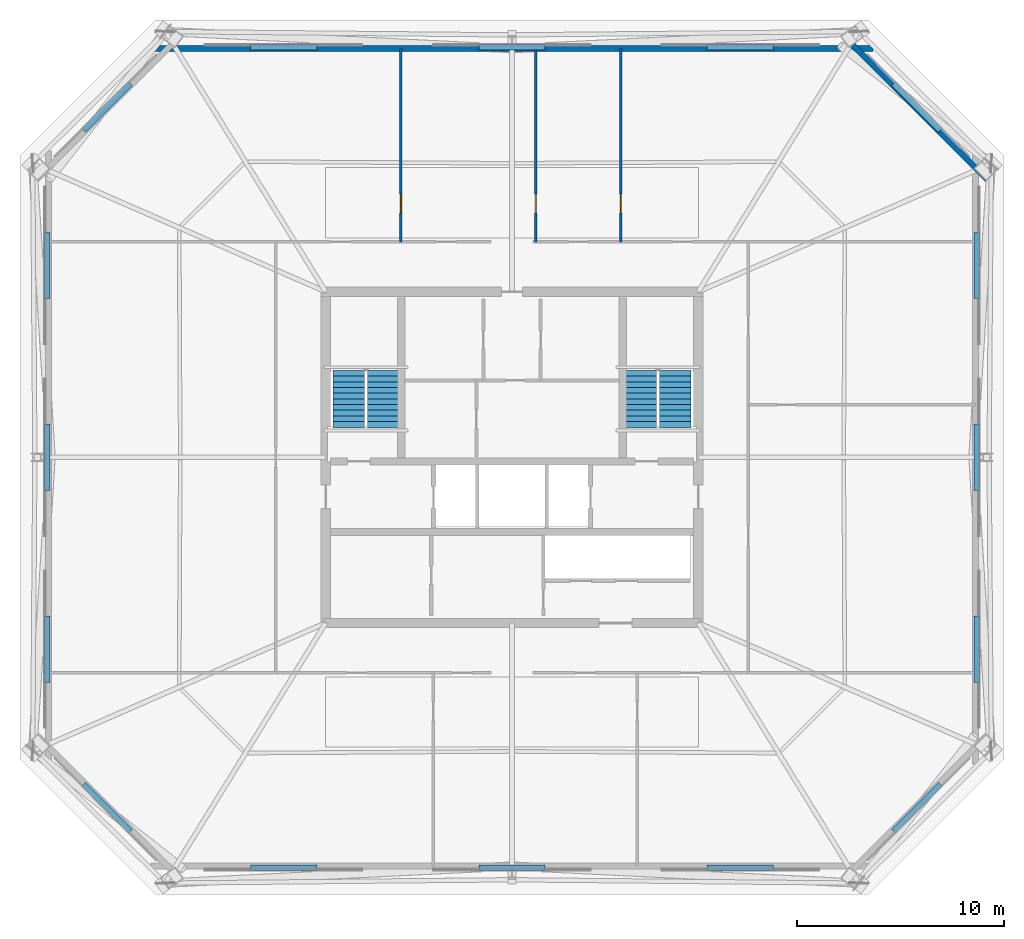
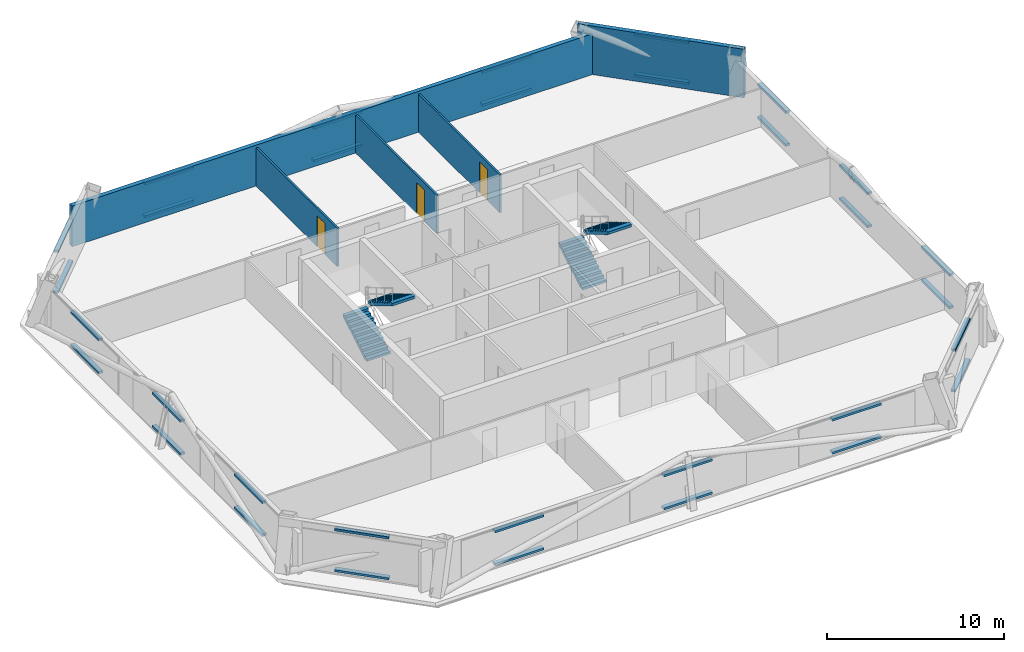
# One storey, part 4 of 6: 32 discrete accessories, 5 walls, 4 stair flights, 3 doors, 3 openings, 2 elements without a shape of their own.
"""IFC4 building model written with IfcOpenShell, lengths in metres."""

from ifc_helpers import new_model, si_unit, direction, frame, frame_2d, origin, origin_2d, place, context, subcontext, project, spatial, polyline, rectangle, outline, extrude, material, layer, layer_set, type_object, element, fill, aggregate, save


model = new_model("IFC4")

# Units and contexts
model_context = context("Model", 3, precision=1e-05, world=origin(), true_north=direction((0.0, 1.0)))
body_context = subcontext(model_context, "Body", "Model", "MODEL_VIEW")
ifc_project = project(units=[si_unit("LENGTHUNIT", "METRE"), si_unit("AREAUNIT", "SQUARE_METRE"), si_unit("VOLUMEUNIT", "CUBIC_METRE"), si_unit("PLANEANGLEUNIT", "RADIAN"), si_unit("MASSUNIT", "GRAM", prefix="KILO")], contexts=[model_context])

# Site, building, storey
site_placement = place(None, origin())
site = spatial("IfcSite", under=ifc_project, at=site_placement, CompositionType="ELEMENT")
building_placement = place(site_placement, origin())
building = spatial("IfcBuilding", under=site, at=building_placement, Name="Caelvoria Tower", CompositionType="ELEMENT")
storey_placement = place(building_placement, frame((0.0, 0.0, 184.199951171875)))
storey = spatial("IfcBuildingStorey", under=building, at=storey_placement, Name="L48", CompositionType="ELEMENT", Elevation=184.199951171875)

# Walls
ifc_material_1 = material(Name="Precast Concrete C40/50 with Bronze Cladding", Category="concrete")
ifc_layer_1 = layer(ifc_material_1, 0.280029296875, Name="Precast Concrete C40/50 with Bronze Cladding")
ifc_layer_set_1 = layer_set([ifc_layer_1], Name="Exterior Precast Concrete C40/50 Bronze-Clad Facade Wall 280 - Precast Concrete C40/50 with Bronze Cladding")
wall_type_1 = type_object("IfcWallType", Name="Exterior Precast Concrete C40/50 Bronze-Clad Facade Wall 280", PredefinedType="STANDARD", material=ifc_layer_set_1)
wall_1_placement = place(storey_placement, frame((68.953857421875, 45.41455078125, 0.0), z_axis=(0.0, 0.0, 1.0), x_axis=(-0.707106781187, 0.707106781187, 0.0)))
element("IfcWall", 1, at=wall_1_placement, inside=storey, type_object=wall_type_1, Name="Exterior Facade Wall L48-E3", PredefinedType="STANDARD", context=body_context, shape_type="SweptSolid", body=[
    extrude(rectangle(XDim=9.75732421875, YDim=0.280029296875, at=frame_2d((4.878662109375, 0.0))), origin(), (0.0, 0.0, 1.0), 3.360107421875),
])
wall_2_placement = place(storey_placement, frame((63.43994140625, 51.739990234375, 0.0), z_axis=(0.0, 0.0, 1.0), x_axis=(-1.0, 0.0, 0.0)))
element("IfcWall", 2, at=wall_2_placement, inside=storey, type_object=wall_type_1, Name="Exterior Facade Wall L48-E4", PredefinedType="STANDARD", context=body_context, shape_type="SweptSolid", body=[
    extrude(rectangle(XDim=34.8798828125, YDim=0.280029296875, at=frame_2d((17.43994140625, 0.0))), origin(), (0.0, 0.0, 1.0), 2.817138671875),
])

# Wall, opening, door
ifc_material_2 = material(Name="Acoustic Gypsum Board on Light-Gauge Stud", Category="gypsum")
ifc_layer_2 = layer(ifc_material_2, 0.1201171875, Name="Acoustic Gypsum Board on Light-Gauge Stud")
ifc_layer_set_2 = layer_set([ifc_layer_2], Name="Tenant Suite Acoustic Partition Wall 120 - Acoustic Gypsum Board on Light-Gauge Stud")
wall_type_2 = type_object("IfcWallType", Name="Tenant Suite Acoustic Partition Wall 120", PredefinedType="PARTITIONING", material=ifc_layer_set_2)
wall_3_placement = place(storey_placement, frame((40.638916015625, 42.409912109375, 0.0), z_axis=(0.0, 0.0, 1.0), x_axis=(0.0, 1.0, 0.0)))
wall_3 = element("IfcWall", 3, at=wall_3_placement, inside=storey, type_object=wall_type_2, Name="Interior Partition IW-L48-ND-00-0", PredefinedType="PARTITIONING", context=body_context, shape_type="SweptSolid", body=[
    extrude(rectangle(XDim=9.330078125, YDim=0.1201171875, at=frame_2d((4.6650390625, 0.0))), origin(), (0.0, 0.0, 1.0), 2.64013671875),
])
opening_1_placement = place(wall_3_placement, frame((1.39990234375, 0.0, 0.0)))
opening_1 = element("IfcOpeningElement", 4, at=opening_1_placement, cuts=wall_3, Name="Opening ID-06", PredefinedType="OPENING", context=body_context, shape_type="SweptSolid", body=[
    extrude(rectangle(XDim=0.89990234375, YDim=2.14990234375, at=frame_2d((0.449951171875, 1.074951171875))), frame((0.0, 0.070068359375, 0.0), z_axis=(0.0, -1.0, 0.0), x_axis=(1.0, 0.0, 0.0)), (0.0, 0.0, 1.0), 0.14013671875),
])
ifc_material_3 = material(Name="Engineered Andean Oak Veneer Door", Category="wood")
door_type = type_object("IfcDoorType", Name="Interior Timber Door 900x2150", OperationType="NOTDEFINED", PredefinedType="DOOR", material=ifc_material_3)
door_1_placement = place(opening_1_placement, origin())
door_1 = element("IfcDoor", 5, at=door_1_placement, inside=storey, type_object=door_type, Name="Interior Door DR-L48-NM-00-0", OperationType="SINGLE_SWING_RIGHT", OverallHeight=2.14990234375, OverallWidth=0.89990234375, PredefinedType="DOOR", context=body_context, shape_type="SweptSolid", body=[
    extrude(rectangle(XDim=0.89990234375, YDim=2.14990234375, at=frame_2d((0.449951171875, 1.074951171875))), frame((0.0, 0.02490234375, 0.0), z_axis=(0.0, -1.0, 0.0), x_axis=(1.0, 0.0, 0.0)), (0.0, 0.0, 1.0), 0.050048828125),
])
fill(opening_1, door_1)

wall_4_placement = place(storey_placement, frame((47.147705078125, 42.409912109375, 0.0), z_axis=(0.0, 0.0, 1.0), x_axis=(0.0, 1.0, 0.0)))
wall_4 = element("IfcWall", 6, at=wall_4_placement, inside=storey, type_object=wall_type_2, Name="Interior Partition IW-L48-ND-01-0", PredefinedType="PARTITIONING", context=body_context, shape_type="SweptSolid", body=[
    extrude(rectangle(XDim=9.330078125, YDim=0.1201171875, at=frame_2d((4.6650390625, 0.0))), origin(), (0.0, 0.0, 1.0), 2.64013671875),
])
opening_2_placement = place(wall_4_placement, frame((1.39990234375, 0.0, 0.0)))
opening_2 = element("IfcOpeningElement", 7, at=opening_2_placement, cuts=wall_4, Name="Opening ID-06", PredefinedType="OPENING", context=body_context, shape_type="SweptSolid", body=[
    extrude(rectangle(XDim=0.89990234375, YDim=2.14990234375, at=frame_2d((0.449951171875, 1.074951171875))), frame((0.0, 0.070068359375, 0.0), z_axis=(0.0, -1.0, 0.0), x_axis=(1.0, 0.0, 0.0)), (0.0, 0.0, 1.0), 0.14013671875),
])
door_2_placement = place(opening_2_placement, origin())
door_2 = element("IfcDoor", 8, at=door_2_placement, inside=storey, type_object=door_type, Name="Interior Door DR-L48-NM-01-0", OperationType="SINGLE_SWING_LEFT", OverallHeight=2.14990234375, OverallWidth=0.89990234375, PredefinedType="DOOR", context=body_context, shape_type="SweptSolid", body=[
    extrude(rectangle(XDim=0.89990234375, YDim=2.14990234375, at=frame_2d((0.449951171875, 1.074951171875))), frame((0.0, 0.02490234375, 0.0), z_axis=(0.0, -1.0, 0.0), x_axis=(1.0, 0.0, 0.0)), (0.0, 0.0, 1.0), 0.050048828125),
])
fill(opening_2, door_2)

wall_5_placement = place(storey_placement, frame((51.2607421875, 42.409912109375, 0.0), z_axis=(0.0, 0.0, 1.0), x_axis=(0.0, 1.0, 0.0)))
wall_5 = element("IfcWall", 9, at=wall_5_placement, inside=storey, type_object=wall_type_2, Name="Interior Partition IW-L48-ND-02-0", PredefinedType="PARTITIONING", context=body_context, shape_type="SweptSolid", body=[
    extrude(rectangle(XDim=9.330078125, YDim=0.1201171875, at=frame_2d((4.6650390625, 0.0))), origin(), (0.0, 0.0, 1.0), 2.64013671875),
])
opening_3_placement = place(wall_5_placement, frame((1.39990234375, 0.0, 0.0)))
opening_3 = element("IfcOpeningElement", 10, at=opening_3_placement, cuts=wall_5, Name="Opening ID-06", PredefinedType="OPENING", context=body_context, shape_type="SweptSolid", body=[
    extrude(rectangle(XDim=0.89990234375, YDim=2.14990234375, at=frame_2d((0.449951171875, 1.074951171875))), frame((0.0, 0.070068359375, 0.0), z_axis=(0.0, -1.0, 0.0), x_axis=(1.0, 0.0, 0.0)), (0.0, 0.0, 1.0), 0.14013671875),
])
door_3_placement = place(opening_3_placement, origin())
door_3 = element("IfcDoor", 11, at=door_3_placement, inside=storey, type_object=door_type, Name="Interior Door DR-L48-NM-02-0", OperationType="SINGLE_SWING_RIGHT", OverallHeight=2.14990234375, OverallWidth=0.89990234375, PredefinedType="DOOR", context=body_context, shape_type="SweptSolid", body=[
    extrude(rectangle(XDim=0.89990234375, YDim=2.14990234375, at=frame_2d((0.449951171875, 1.074951171875))), frame((0.0, 0.02490234375, 0.0), z_axis=(0.0, -1.0, 0.0), x_axis=(1.0, 0.0, 0.0)), (0.0, 0.0, 1.0), 0.050048828125),
])
fill(opening_3, door_3)

# Stair, stair flights
ifc_material_4 = material(Name="Concrete C40/50", Category="concrete")
stair_type = type_object("IfcStairType", Name="Core Smokeproof Dogleg Stair Concrete C40/50", PredefinedType="HALF_TURN_STAIR", material=ifc_material_4)
stair_1_placement = place(storey_placement, origin())
stair_1 = element("IfcStair", 12, at=stair_1_placement, inside=storey, type_object=stair_type, Name="ST-01 Smokeproof Exit Stair L48", PredefinedType="HALF_TURN_STAIR")
ifc_material_5 = material(Name="Precast Concrete C40/50", Category="concrete")
stair_flight_type = type_object("IfcStairFlightType", Name="Precast Concrete C40/50 Stair Flight 1480", PredefinedType="STRAIGHT", material=ifc_material_5)
stair_flight_1_placement = place(storey_placement, frame((38.1298828125, 33.449951171875, 0.0), z_axis=(0.0, 0.0, 1.0), x_axis=(0.0, 1.0, 0.0)))
stair_flight_1 = element("IfcStairFlight", 13, at=stair_flight_1_placement, type_object=stair_flight_type, Name="ST-01 flight 1", NumberOfRisers=11, NumberOfTreads=10, PredefinedType="STRAIGHT", RiserHeight=0.1636, TreadLength=0.275, context=body_context, shape_type="SweptSolid", body=[
    extrude(outline(polyline([(0.0, 0.0), (0.0, 0.16357421875), (0.27490234375, 0.16357421875), (0.27490234375, 0.3271484375), (0.550048828125, 0.3271484375), (0.550048828125, 0.49072265625), (0.824951171875, 0.49072265625), (0.824951171875, 0.654296875), (1.10009765625, 0.654296875), (1.10009765625, 0.818115234375), (1.375, 0.818115234375), (1.375, 0.981689453125), (1.64990234375, 0.981689453125), (1.64990234375, 1.145263671875), (1.925048828125, 1.145263671875), (1.925048828125, 1.308837890625), (2.199951171875, 1.308837890625), (2.199951171875, 1.472412109375), (2.47509765625, 1.472412109375), (2.47509765625, 1.635986328125), (2.75, 1.635986328125), (2.75, 1.799560546875), (2.75, 1.449951171875), (0.312744140625, 0.0), (0.0, 0.0)])), frame((0.0, 0.77001953125, 0.0), z_axis=(0.0, -1.0, 0.0), x_axis=(1.0, 0.0, 0.0)), (0.0, 0.0, 1.0), 1.5400390625),
])
stair_flight_2_placement = place(storey_placement, frame((39.77001953125, 36.199951171875, 1.800048828125), z_axis=(0.0, 0.0, 1.0), x_axis=(0.0, -1.0, 0.0)))
stair_flight_2 = element("IfcStairFlight", 14, at=stair_flight_2_placement, type_object=stair_flight_type, Name="ST-01 flight 2", NumberOfRisers=11, NumberOfTreads=10, PredefinedType="STRAIGHT", RiserHeight=0.1636, TreadLength=0.275, context=body_context, shape_type="SweptSolid", body=[
    extrude(outline(polyline([(0.0, 0.0), (0.0, 0.16357421875), (0.27490234375, 0.16357421875), (0.27490234375, 0.3271484375), (0.550048828125, 0.3271484375), (0.550048828125, 0.49072265625), (0.824951171875, 0.49072265625), (0.824951171875, 0.654296875), (1.10009765625, 0.654296875), (1.10009765625, 0.818115234375), (1.375, 0.818115234375), (1.375, 0.981689453125), (1.64990234375, 0.981689453125), (1.64990234375, 1.145263671875), (1.925048828125, 1.145263671875), (1.925048828125, 1.308837890625), (2.199951171875, 1.308837890625), (2.199951171875, 1.472412109375), (2.47509765625, 1.472412109375), (2.47509765625, 1.635986328125), (2.75, 1.635986328125), (2.75, 1.799560546875), (2.75, 1.449951171875), (0.312744140625, 0.0), (0.0, 0.0)])), frame((0.0, 0.77001953125, 0.0), z_axis=(0.0, -1.0, 0.0), x_axis=(1.0, 0.0, 0.0)), (0.0, 0.0, 1.0), 1.5400390625),
])
aggregate(stair_1, [stair_flight_1, stair_flight_2])

stair_2_placement = place(storey_placement, origin())
stair_2 = element("IfcStair", 15, at=stair_2_placement, inside=storey, type_object=stair_type, Name="ST-02 Smokeproof Exit Stair L48", PredefinedType="HALF_TURN_STAIR")
stair_flight_3_placement = place(storey_placement, frame((52.22998046875, 33.449951171875, 0.0), z_axis=(0.0, 0.0, 1.0), x_axis=(0.0, 1.0, 0.0)))
stair_flight_3 = element("IfcStairFlight", 16, at=stair_flight_3_placement, type_object=stair_flight_type, Name="ST-02 flight 1", NumberOfRisers=11, NumberOfTreads=10, PredefinedType="STRAIGHT", RiserHeight=0.1636, TreadLength=0.275, context=body_context, shape_type="SweptSolid", body=[
    extrude(outline(polyline([(0.0, 0.0), (0.0, 0.16357421875), (0.27490234375, 0.16357421875), (0.27490234375, 0.3271484375), (0.550048828125, 0.3271484375), (0.550048828125, 0.49072265625), (0.824951171875, 0.49072265625), (0.824951171875, 0.654296875), (1.10009765625, 0.654296875), (1.10009765625, 0.818115234375), (1.375, 0.818115234375), (1.375, 0.981689453125), (1.64990234375, 0.981689453125), (1.64990234375, 1.145263671875), (1.925048828125, 1.145263671875), (1.925048828125, 1.308837890625), (2.199951171875, 1.308837890625), (2.199951171875, 1.472412109375), (2.47509765625, 1.472412109375), (2.47509765625, 1.635986328125), (2.75, 1.635986328125), (2.75, 1.799560546875), (2.75, 1.449951171875), (0.312744140625, 0.0), (0.0, 0.0)])), frame((0.0, 0.77001953125, 0.0), z_axis=(0.0, -1.0, 0.0), x_axis=(1.0, 0.0, 0.0)), (0.0, 0.0, 1.0), 1.5400390625),
])
stair_flight_4_placement = place(storey_placement, frame((53.8701171875, 36.199951171875, 1.800048828125), z_axis=(0.0, 0.0, 1.0), x_axis=(0.0, -1.0, 0.0)))
stair_flight_4 = element("IfcStairFlight", 17, at=stair_flight_4_placement, type_object=stair_flight_type, Name="ST-02 flight 2", NumberOfRisers=11, NumberOfTreads=10, PredefinedType="STRAIGHT", RiserHeight=0.1636, TreadLength=0.275, context=body_context, shape_type="SweptSolid", body=[
    extrude(outline(polyline([(0.0, 0.0), (0.0, 0.16357421875), (0.27490234375, 0.16357421875), (0.27490234375, 0.3271484375), (0.550048828125, 0.3271484375), (0.550048828125, 0.49072265625), (0.824951171875, 0.49072265625), (0.824951171875, 0.654296875), (1.10009765625, 0.654296875), (1.10009765625, 0.818115234375), (1.375, 0.818115234375), (1.375, 0.981689453125), (1.64990234375, 0.981689453125), (1.64990234375, 1.145263671875), (1.925048828125, 1.145263671875), (1.925048828125, 1.308837890625), (2.199951171875, 1.308837890625), (2.199951171875, 1.472412109375), (2.47509765625, 1.472412109375), (2.47509765625, 1.635986328125), (2.75, 1.635986328125), (2.75, 1.799560546875), (2.75, 1.449951171875), (0.312744140625, 0.0), (0.0, 0.0)])), frame((0.0, 0.77001953125, 0.0), z_axis=(0.0, -1.0, 0.0), x_axis=(1.0, 0.0, 0.0)), (0.0, 0.0, 1.0), 1.5400390625),
])
aggregate(stair_2, [stair_flight_3, stair_flight_4])

# Discrete accessories
ifc_material_6 = material(Name="Anodised Bronze Stainless Bracket", Category="bronze")
discrete_accessory_type = type_object("IfcDiscreteAccessoryType", Name="Solar Screen Outrigger Support Bracket", PredefinedType="BRACKET", material=ifc_material_6)
for number, where, z_axis, x_axis, name in (
    (18, (34.973388671875, 12.18310546875, 0.240234375), (0.0, 0.0, 1.0), (1.0, 0.0, 0.0), "Solar Screen Bracket L48-E0-00"),
    (19, (34.973388671875, 12.18310546875, 2.51708984375), (0.0, 0.0, 1.0), (1.0, 0.0, 0.0), "Upper Screen Band Bracket L48-E0-00"),
    (20, (46.0, 12.18310546875, 0.240234375), (0.0, 0.0, 1.0), (1.0, 0.0, 0.0), "Solar Screen Bracket L48-E0-01"),
    (21, (46.0, 12.18310546875, 2.51708984375), (0.0, 0.0, 1.0), (1.0, 0.0, 0.0), "Upper Screen Band Bracket L48-E0-01"),
    (22, (57.026611328125, 12.18310546875, 0.240234375), (0.0, 0.0, 1.0), (1.0, 0.0, 0.0), "Solar Screen Bracket L48-E0-02"),
    (23, (57.026611328125, 12.18310546875, 2.51708984375), (0.0, 0.0, 1.0), (1.0, 0.0, 0.0), "Upper Screen Band Bracket L48-E0-02"),
    (24, (65.55859375, 15.081298828125, 0.240234375), (0.0, 0.0, 1.0), (0.707106781187, 0.707106781187, 0.0), "Solar Screen Bracket L48-E1-00"),
    (25, (65.55859375, 15.081298828125, 3.06005859375), (0.0, 0.0, 1.0), (0.707106781187, 0.707106781187, 0.0), "Upper Screen Band Bracket L48-E1-00"),
    (26, (68.45703125, 22.7333984375, 0.240234375), (0.0, 0.0, 1.0), (0.0, 1.0, 0.0), "Solar Screen Bracket L48-E2-00"),
    (27, (68.45703125, 22.7333984375, 2.51708984375), (0.0, 0.0, 1.0), (0.0, 1.0, 0.0), "Upper Screen Band Bracket L48-E2-00"),
    (28, (68.45703125, 32.0, 0.240234375), (0.0, 0.0, 1.0), (0.0, 1.0, 0.0), "Solar Screen Bracket L48-E2-01"),
    (29, (68.45703125, 32.0, 2.51708984375), (0.0, 0.0, 1.0), (0.0, 1.0, 0.0), "Upper Screen Band Bracket L48-E2-01"),
    (30, (68.45703125, 41.2666015625, 0.240234375), (0.0, 0.0, 1.0), (0.0, 1.0, 0.0), "Solar Screen Bracket L48-E2-02"),
    (31, (68.45703125, 41.2666015625, 2.51708984375), (0.0, 0.0, 1.0), (0.0, 1.0, 0.0), "Upper Screen Band Bracket L48-E2-02"),
    (32, (65.55859375, 48.918701171875, 0.240234375), (0.0, 0.0, 1.0), (-0.707106781187, 0.707106781187, 0.0), "Solar Screen Bracket L48-E3-00"),
    (33, (65.55859375, 48.918701171875, 3.06005859375), (0.0, 0.0, 1.0), (-0.707106781187, 0.707106781187, 0.0), "Upper Screen Band Bracket L48-E3-00"),
    (34, (57.026611328125, 51.81689453125, 0.240234375), (0.0, 0.0, 1.0), (-1.0, 0.0, 0.0), "Solar Screen Bracket L48-E4-00"),
    (35, (57.026611328125, 51.81689453125, 2.51708984375), (0.0, 0.0, 1.0), (-1.0, 0.0, 0.0), "Upper Screen Band Bracket L48-E4-00"),
    (36, (46.0, 51.81689453125, 0.240234375), (0.0, 0.0, 1.0), (-1.0, 0.0, 0.0), "Solar Screen Bracket L48-E4-01"),
    (37, (46.0, 51.81689453125, 2.51708984375), (0.0, 0.0, 1.0), (-1.0, 0.0, 0.0), "Upper Screen Band Bracket L48-E4-01"),
    (38, (34.973388671875, 51.81689453125, 0.240234375), (0.0, 0.0, 1.0), (-1.0, 0.0, 0.0), "Solar Screen Bracket L48-E4-02"),
    (39, (34.973388671875, 51.81689453125, 2.51708984375), (0.0, 0.0, 1.0), (-1.0, 0.0, 0.0), "Upper Screen Band Bracket L48-E4-02"),
    (40, (26.44140625, 48.918701171875, 0.240234375), (0.0, 0.0, 1.0), (-0.707106781187, -0.707106781187, 0.0), "Solar Screen Bracket L48-E5-00"),
    (41, (26.44140625, 48.918701171875, 3.06005859375), (0.0, 0.0, 1.0), (-0.707106781187, -0.707106781187, 0.0), "Upper Screen Band Bracket L48-E5-00"),
    (42, (23.54296875, 41.2666015625, 0.240234375), (0.0, 0.0, 1.0), (0.0, -1.0, 0.0), "Solar Screen Bracket L48-E6-00"),
    (43, (23.54296875, 41.2666015625, 2.51708984375), (0.0, 0.0, 1.0), (0.0, -1.0, 0.0), "Upper Screen Band Bracket L48-E6-00"),
    (44, (23.54296875, 32.0, 0.240234375), (0.0, 0.0, 1.0), (0.0, -1.0, 0.0), "Solar Screen Bracket L48-E6-01"),
    (45, (23.54296875, 32.0, 2.51708984375), (0.0, 0.0, 1.0), (0.0, -1.0, 0.0), "Upper Screen Band Bracket L48-E6-01"),
    (46, (23.54296875, 22.7333984375, 0.240234375), (0.0, 0.0, 1.0), (0.0, -1.0, 0.0), "Solar Screen Bracket L48-E6-02"),
    (47, (23.54296875, 22.7333984375, 2.51708984375), (0.0, 0.0, 1.0), (0.0, -1.0, 0.0), "Upper Screen Band Bracket L48-E6-02"),
    (48, (26.44140625, 15.081298828125, 0.240234375), (0.0, 0.0, 1.0), (0.707106781187, -0.707106781187, 0.0), "Solar Screen Bracket L48-E7-00"),
    (49, (26.44140625, 15.081298828125, 3.06005859375), (0.0, 0.0, 1.0), (0.707106781187, -0.707106781187, 0.0), "Upper Screen Band Bracket L48-E7-00"),
):
    element("IfcDiscreteAccessory", number, at=place(storey_placement, frame(where, z_axis=z_axis, x_axis=x_axis)), inside=storey, type_object=discrete_accessory_type, Name=name, PredefinedType="BRACKET", context=body_context, shape_type="SweptSolid", body=[
        extrude(rectangle(XDim=3.199951171875, YDim=0.280029296875, at=origin_2d()), origin(), (0.0, 0.0, 1.0), 0.159912109375),
    ])

save(model, "model.ifc")
